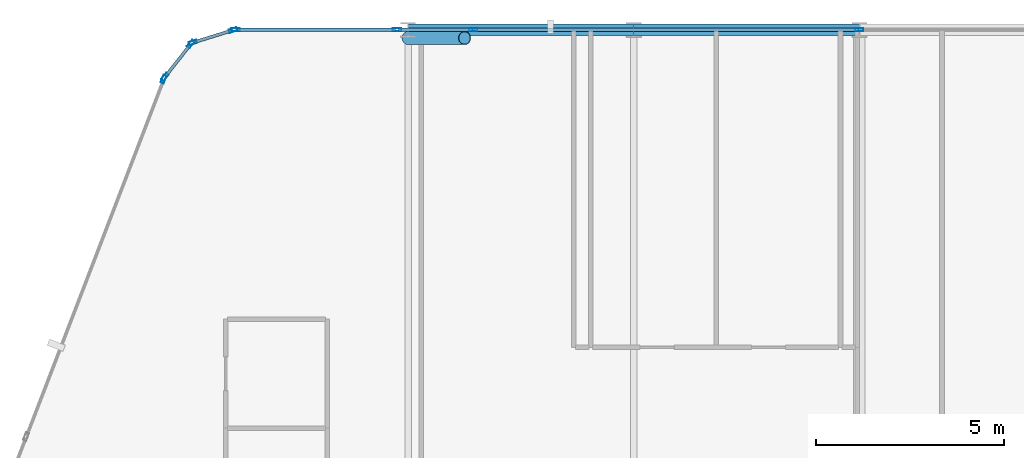
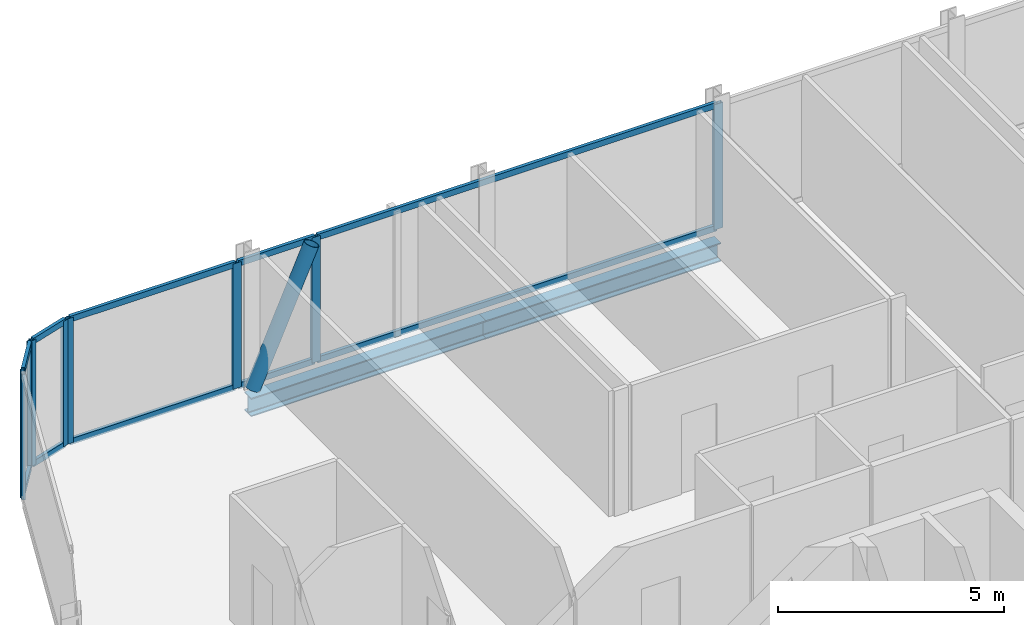
# One storey, part 14 of 34: 20 members, 2 beams, 6 elements without a shape of their own.
"""IFC4 building model written with IfcOpenShell, lengths in metres."""

import ifcopenshell
import ifcopenshell.guid

model = None  # the IFC model being written
_history = None  # IfcOwnerHistory: only IFC2X3 demands one
_inside = {}  # id of a spatial element -> (the spatial element, [elements in it])
_under = {}  # id of a project, library or spatial element -> (it, [spatial elements below it])
_declared = {}  # id of a project -> (the project, [libraries it declares])
_typed = {}  # id of a type object -> (the type object, [elements of that type])
_made_of = {}  # id of a material, layer set ... -> (it, [elements and type objects made of it])


def new_model(schema):
    """Start an empty IFC model of exactly this schema.

    Asked for "IFC4X3", IfcOpenShell would pick the latest addendum, in which some entities
    have other attributes; the version numbers below select the first issue.
    IFC2X3 requires an IfcOwnerHistory on every rooted entity: one is made here for all.
    """
    global model, _history
    if schema == "IFC4X3":
        model = ifcopenshell.file(schema_version=(4, 3, 0, 0))
    else:
        model = ifcopenshell.file(schema=schema)
    _inside.clear()
    _under.clear()
    _declared.clear()
    _typed.clear()
    _made_of.clear()
    _history = None
    if model.schema == "IFC2X3":
        org = make("IfcOrganization", Name="unknown")
        user = make(
            "IfcPersonAndOrganization",
            ThePerson=make("IfcPerson", FamilyName="unknown"),
            TheOrganization=org,
        )
        app = make(
            "IfcApplication",
            ApplicationDeveloper=org,
            Version="unknown",
            ApplicationFullName="unknown",
            ApplicationIdentifier="unknown",
        )
        _history = make(
            "IfcOwnerHistory",
            OwningUser=user,
            OwningApplication=app,
            ChangeAction="ADDED",
            CreationDate=0,
        )
    return model


def make(cls, **values):
    """One entity of the class cls with the attributes given. An attribute that is None is left unset."""
    return model.create_entity(
        cls, **{name: value for name, value in values.items() if value is not None}
    )


def rooted(cls, **values):
    """An entity with a GlobalId (a new one), such as an element, a storey or a relation."""
    return make(cls, GlobalId=ifcopenshell.guid.new(), OwnerHistory=_history, **values)


def si_unit(unit_type, name, prefix=None):
    """IfcSIUnit, for example si_unit("LENGTHUNIT", "METRE", prefix="MILLI")."""
    return make("IfcSIUnit", UnitType=unit_type, Prefix=prefix, Name=name)


def assignment(units):
    """IfcUnitAssignment: the units of a project."""
    return None if units is None else make("IfcUnitAssignment", Units=units)


def point(xyz):
    """IfcCartesianPoint."""
    return None if xyz is None else make("IfcCartesianPoint", Coordinates=xyz)


def direction(xyz):
    """IfcDirection."""
    return None if xyz is None else make("IfcDirection", DirectionRatios=xyz)


def frame(location, z_axis=None, x_axis=None):
    """IfcAxis2Placement3D, a coordinate frame: its origin and axes. An axis left out is left unset."""
    return make(
        "IfcAxis2Placement3D",
        Location=point(location),
        Axis=direction(z_axis),
        RefDirection=direction(x_axis),
    )


def frame_2d(location, x_axis=None):
    """IfcAxis2Placement2D, a coordinate frame in the plane: its origin and x axis."""
    return make(
        "IfcAxis2Placement2D", Location=point(location), RefDirection=direction(x_axis)
    )


def origin():
    """The frame at (0, 0, 0) with its axes left unset."""
    return frame((0.0, 0.0, 0.0))


def origin_2d():
    """The frame at (0, 0) in the plane with its x axis left unset."""
    return frame_2d((0.0, 0.0))


def place(relative_to, where):
    """IfcLocalPlacement: puts the frame where relative to a parent placement (None: the world)."""
    return make(
        "IfcLocalPlacement", PlacementRelTo=relative_to, RelativePlacement=where
    )


def context(
    kind, dimensions, precision=None, world=None, true_north=None, identifier=None
):
    """IfcGeometricRepresentationContext, for example the 3D "Model" context."""
    return make(
        "IfcGeometricRepresentationContext",
        ContextIdentifier=identifier,
        ContextType=kind,
        CoordinateSpaceDimension=dimensions,
        Precision=precision,
        WorldCoordinateSystem=world,
        TrueNorth=true_north,
    )


def subcontext(parent, identifier, kind, view, scale=None):
    """IfcGeometricRepresentationSubContext, for example "Body" below "Model"."""
    return make(
        "IfcGeometricRepresentationSubContext",
        ContextIdentifier=identifier,
        ContextType=kind,
        ParentContext=parent,
        TargetScale=scale,
        TargetView=view,
    )


def project(units=None, contexts=None):
    """IfcProject with its units and contexts."""
    return rooted(
        "IfcProject",
        Name="project",
        RepresentationContexts=contexts,
        UnitsInContext=assignment(units),
    )


def spatial(cls, under=None, at=None, **own):
    """A site, building, storey or space (cls), placed at a placement, below another one or the project."""
    s = rooted(cls, ObjectPlacement=at, **own)
    if under is not None:
        _under.setdefault(under.id(), (under, []))[1].append(s)
    return s


def profile(cls, at=None, kind="AREA", **sizes):
    """A parametric profile (cls). Its sizes go by their IFC names, for example OverallWidth=200.0."""
    return make(cls, ProfileType=kind, Position=at, **sizes)


def hollow_rectangle(**sizes):
    """IfcRectangleHollowProfileDef."""
    return profile("IfcRectangleHollowProfileDef", **sizes)


def hollow_circle(**sizes):
    """IfcCircleHollowProfileDef."""
    return profile("IfcCircleHollowProfileDef", **sizes)


def i_section(**sizes):
    """IfcIShapeProfileDef."""
    return profile("IfcIShapeProfileDef", **sizes)


def extrude(swept, where, along, depth):
    """IfcExtrudedAreaSolid: the profile swept, set in the frame where, extruded along a direction by depth."""
    return make(
        "IfcExtrudedAreaSolid",
        SweptArea=swept,
        Position=where,
        ExtrudedDirection=direction(along),
        Depth=depth,
    )


def shape(context_of_items, identifier, shape_type, items):
    """IfcShapeRepresentation: the items that make up one representation, for example the "Body"."""
    return make(
        "IfcShapeRepresentation",
        ContextOfItems=context_of_items,
        RepresentationIdentifier=identifier,
        RepresentationType=shape_type,
        Items=items,
    )


def material(Name=None, Category=None):
    """IfcMaterial."""
    return make("IfcMaterial", Name=Name, Category=Category)


def layer(
    of_material, thickness, ventilated=None, Name=None, Category=None, Priority=None
):
    """IfcMaterialLayer: one layer of a wall or slab, of a material (None: an air gap)."""
    return make(
        "IfcMaterialLayer",
        Material=of_material,
        LayerThickness=thickness,
        IsVentilated=ventilated,
        Name=Name,
        Category=Category,
        Priority=Priority,
    )


def layer_set(layers, Name=None):
    """IfcMaterialLayerSet."""
    return make("IfcMaterialLayerSet", MaterialLayers=layers, LayerSetName=Name)


def material_profile(
    of_material, cross_section, Name=None, Category=None, Priority=None
):
    """IfcMaterialProfile: a cross section and its material."""
    return make(
        "IfcMaterialProfile",
        Name=Name,
        Material=of_material,
        Profile=cross_section,
        Priority=Priority,
        Category=Category,
    )


def profile_set(profiles, Name=None, composite=None):
    """IfcMaterialProfileSet."""
    return make(
        "IfcMaterialProfileSet",
        Name=Name,
        MaterialProfiles=profiles,
        CompositeProfile=composite,
    )


def made_of(thing, what):
    """Note that an element or type object is made of a material, layer set ...; save() writes the relation."""
    if what is not None:
        _made_of.setdefault(what.id(), (what, []))[1].append(thing)
    return thing


def type_object(cls, material=None, **own):
    """A type object (cls), such as IfcWallType, which elements share."""
    return made_of(rooted(cls, **own), material)


def element(
    cls,
    number,
    at=None,
    inside=None,
    cuts=None,
    type_object=None,
    material=None,
    context=None,
    identifier="Body",
    shape_type=None,
    held_by="IfcProductDefinitionShape",
    body=None,
    shapes=None,
    **own,
):
    """One element of the class cls, such as IfcWall. Its Tag is "e" and its number.

    at: its placement. inside: the storey or other place that contains it. cuts: it is an
    opening in that element (IfcRelVoidsElement). A single representation is given by context,
    identifier, shape_type and body (its items); several are given by shapes. held_by: the class
    of the entity that holds the representations. save() writes the other relations.
    """
    e = rooted(cls, Tag="e%d" % number, ObjectPlacement=at, **own)
    if body is not None:
        shapes = [shape(context, identifier, shape_type, body)]
    if shapes is not None:
        e.Representation = make(held_by, Representations=shapes)
    if inside is not None:
        _inside.setdefault(inside.id(), (inside, []))[1].append(e)
    if cuts is not None:
        rooted(
            "IfcRelVoidsElement", RelatingBuildingElement=cuts, RelatedOpeningElement=e
        )
    if type_object is not None:
        _typed.setdefault(type_object.id(), (type_object, []))[1].append(e)
    return made_of(e, material)


def aggregate(whole, parts):
    """IfcRelAggregates: a whole, such as a stair, and the parts it consists of."""
    return rooted("IfcRelAggregates", RelatingObject=whole, RelatedObjects=parts)


def save(model, path):
    """Write the relations noted so far, then the file.

    IfcRelAggregates (storeys below a building ...), IfcRelContainedInSpatialStructure (elements
    in a storey), IfcRelDefinesByType, IfcRelAssociatesMaterial and IfcRelDeclares: one each for
    every whole, place, type object, material and project.
    """
    for whole, parts in _under.values():
        aggregate(whole, parts)
    for where, things in _inside.values():
        rooted(
            "IfcRelContainedInSpatialStructure",
            RelatedElements=things,
            RelatingStructure=where,
        )
    for kind, things in _typed.values():
        rooted("IfcRelDefinesByType", RelatedObjects=things, RelatingType=kind)
    for what, things in _made_of.values():
        rooted("IfcRelAssociatesMaterial", RelatedObjects=things, RelatingMaterial=what)
    for by, libraries in _declared.values():
        rooted("IfcRelDeclares", RelatingContext=by, RelatedDefinitions=libraries)
    model.write(path)


model = new_model("IFC4")

# Units and contexts
model_context = context("Model", 3, precision=1e-05, world=origin(), true_north=direction((0.0, 1.0)))
body_context = subcontext(model_context, "Body", "Model", "MODEL_VIEW")
ifc_project = project(units=[si_unit("LENGTHUNIT", "METRE"), si_unit("AREAUNIT", "SQUARE_METRE"), si_unit("VOLUMEUNIT", "CUBIC_METRE"), si_unit("PLANEANGLEUNIT", "RADIAN"), si_unit("MASSUNIT", "GRAM", prefix="KILO")], contexts=[model_context])

# Site, building, storey
site_placement = place(None, origin())
site = spatial("IfcSite", under=ifc_project, at=site_placement, CompositionType="ELEMENT")
building_placement = place(site_placement, origin())
building = spatial("IfcBuilding", under=site, at=building_placement, Name="Keshet Zoharim Tower", CompositionType="ELEMENT")
storey_placement = place(building_placement, frame((0.0, 0.0, 53.60009765625)))
storey = spatial("IfcBuildingStorey", under=building, at=storey_placement, Name="L12", CompositionType="ELEMENT", Elevation=53.60009765625)

# Beams
ifc_material_1 = material(Name="Steel S355", Category="steel")
ifc_material_profile_1 = material_profile(ifc_material_1, i_section(OverallWidth=0.300048828125, OverallDepth=0.5, WebThickness=0.014404296875, FlangeThickness=0.028076171875, FilletRadius=0.027099609375, at=origin_2d()), Name="HEB500")
ifc_profile_set_1 = profile_set([ifc_material_profile_1], Name="Steel S355")
beam_type = type_object("IfcBeamType", Name="BM-WEB-HB500", PredefinedType="BEAM", material=ifc_profile_set_1)
for number, where, z_axis, x_axis, name in (
    (1, (21.0, 53.89990234375, -0.565185546875), (1.0, 0.0, 0.0), (0.0, 1.0, 0.0), "L12 Primary Girder X-029"),
    (2, (27.0, 53.89990234375, -0.565185546875), (1.0, 0.0, 0.0), (0.0, 1.0, 0.0), "L12 Primary Girder X-030"),
):
    element("IfcBeam", number, at=place(storey_placement, frame(where, z_axis=z_axis, x_axis=x_axis)), inside=storey, type_object=beam_type, Name=name, PredefinedType="BEAM", context=body_context, shape_type="SweptSolid", body=[
        extrude(i_section(OverallWidth=0.300048828125, OverallDepth=0.5, WebThickness=0.014404296875, FlangeThickness=0.028076171875, FilletRadius=0.027099609375, at=origin_2d()), origin(), (0.0, 0.0, 1.0), 6.0),
    ])

# Curtain wall, member
ifc_material_2 = material(Name="Aluminium 6063-T6", Category="aluminium")
ifc_layer_1 = layer(ifc_material_2, 0.179931640625)
ifc_layer_set_1 = layer_set([ifc_layer_1], Name="Aluminium 6063-T6")
curtain_wall_type_1 = type_object("IfcCurtainWallType", Name="CW-SYS-01", PredefinedType="NOTDEFINED", material=ifc_layer_set_1)
curtain_wall_1_placement = place(storey_placement, origin())
curtain_wall_1 = element("IfcCurtainWall", 3, at=curtain_wall_1_placement, inside=storey, type_object=curtain_wall_type_1, Name="L12 Unitised Curtain Wall 04", PredefinedType="NOTDEFINED")
ifc_material_profile_2 = material_profile(ifc_material_2, hollow_rectangle(XDim=0.090087890625, YDim=0.219970703125, WallThickness=0.0048828125, at=origin_2d()), Name="MUL-90x220")
ifc_profile_set_2 = profile_set([ifc_material_profile_2], Name="Aluminium 6063-T6")
member_type_1 = type_object("IfcMemberType", Name="CWM-M22", PredefinedType="MULLION", material=ifc_profile_set_2)
member_1_placement = place(storey_placement, frame((14.494384765625, 52.58544921875, 0.0), z_axis=(0.0, 0.0, 1.0), x_axis=(-0.933341404361, 0.358990003907, 0.0)))
member_1 = element("IfcMember", 4, at=member_1_placement, type_object=member_type_1, Name="CW-01 mullion 4", PredefinedType="MULLION", context=body_context, shape_type="SweptSolid", body=[
    extrude(hollow_rectangle(XDim=0.090087890625, YDim=0.219970703125, WallThickness=0.0048828125, at=origin_2d()), origin(), (0.0, 0.0, 1.0), 3.385009765625),
])
aggregate(curtain_wall_1, [member_1])

# Curtain wall, members
curtain_wall_2_placement = place(storey_placement, origin())
curtain_wall_2 = element("IfcCurtainWall", 5, at=curtain_wall_2_placement, inside=storey, type_object=curtain_wall_type_1, Name="L12 Unitised Curtain Wall 05", PredefinedType="NOTDEFINED")
member_2_placement = place(storey_placement, frame((14.528564453125, 52.6455078125, 0.0), z_axis=(0.0, 0.0, 1.0), x_axis=(-0.785292825205, 0.619124525989, 0.0)))
member_2 = element("IfcMember", 6, at=member_2_placement, type_object=member_type_1, Name="CW-01 mullion 1", PredefinedType="MULLION", context=body_context, shape_type="SweptSolid", body=[
    extrude(hollow_rectangle(XDim=0.090087890625, YDim=0.219970703125, WallThickness=0.0048828125, at=origin_2d()), origin(), (0.0, 0.0, 1.0), 3.385009765625),
])
member_3_placement = place(storey_placement, frame((15.21923828125, 53.521484375, 0.0), z_axis=(0.0, 0.0, 1.0), x_axis=(-0.785292825205, 0.619124525989, 0.0)))
member_3 = element("IfcMember", 7, at=member_3_placement, type_object=member_type_1, Name="CW-01 mullion 2", PredefinedType="MULLION", context=body_context, shape_type="SweptSolid", body=[
    extrude(hollow_rectangle(XDim=0.090087890625, YDim=0.219970703125, WallThickness=0.0048828125, at=origin_2d()), origin(), (0.0, 0.0, 1.0), 3.385009765625),
])

curtain_wall_3_placement = place(storey_placement, origin())
curtain_wall_3 = element("IfcCurtainWall", 8, at=curtain_wall_3_placement, inside=storey, type_object=curtain_wall_type_1, Name="L12 Unitised Curtain Wall 06", PredefinedType="NOTDEFINED")
member_4_placement = place(storey_placement, frame((15.2744140625, 53.559326171875, 0.0), z_axis=(0.0, 0.0, 1.0), x_axis=(-0.295921857984, 0.955212151288, 0.0)))
member_4 = element("IfcMember", 9, at=member_4_placement, type_object=member_type_1, Name="CW-01 mullion 1", PredefinedType="MULLION", context=body_context, shape_type="SweptSolid", body=[
    extrude(hollow_rectangle(XDim=0.090087890625, YDim=0.219970703125, WallThickness=0.0048828125, at=origin_2d()), origin(), (0.0, 0.0, 1.0), 3.385009765625),
])
member_5_placement = place(storey_placement, frame((16.340576171875, 53.8896484375, 0.0), z_axis=(0.0, 0.0, 1.0), x_axis=(-0.295921857984, 0.955212151288, 0.0)))
member_5 = element("IfcMember", 10, at=member_5_placement, type_object=member_type_1, Name="CW-01 mullion 2", PredefinedType="MULLION", context=body_context, shape_type="SweptSolid", body=[
    extrude(hollow_rectangle(XDim=0.090087890625, YDim=0.219970703125, WallThickness=0.0048828125, at=origin_2d()), origin(), (0.0, 0.0, 1.0), 3.385009765625),
])

ifc_layer_2 = layer(ifc_material_2, 0.169921875)
ifc_layer_set_2 = layer_set([ifc_layer_2], Name="Aluminium 6063-T6")
curtain_wall_type_2 = type_object("IfcCurtainWallType", Name="CW-SYS-02", PredefinedType="NOTDEFINED", material=ifc_layer_set_2)
curtain_wall_4_placement = place(storey_placement, origin())
curtain_wall_4 = element("IfcCurtainWall", 11, at=curtain_wall_4_placement, inside=storey, type_object=curtain_wall_type_2, Name="L12 Unitised Curtain Wall 07", PredefinedType="NOTDEFINED")
member_6_placement = place(storey_placement, frame((16.408935546875, 53.89990234375, 0.0), z_axis=(0.0, 0.0, 1.0), x_axis=(0.0, 1.0, 0.0)))
member_6 = element("IfcMember", 12, at=member_6_placement, type_object=member_type_1, Name="CW-02 mullion 1", PredefinedType="MULLION", context=body_context, shape_type="SweptSolid", body=[
    extrude(hollow_rectangle(XDim=0.090087890625, YDim=0.219970703125, WallThickness=0.0048828125, at=origin_2d()), origin(), (0.0, 0.0, 1.0), 3.385009765625),
])
member_7_placement = place(storey_placement, frame((20.702392578125, 53.89990234375, 0.0), z_axis=(0.0, 0.0, 1.0), x_axis=(0.0, 1.0, 0.0)))
member_7 = element("IfcMember", 13, at=member_7_placement, type_object=member_type_1, Name="CW-02 mullion 2", PredefinedType="MULLION", context=body_context, shape_type="SweptSolid", body=[
    extrude(hollow_rectangle(XDim=0.090087890625, YDim=0.219970703125, WallThickness=0.0048828125, at=origin_2d()), origin(), (0.0, 0.0, 1.0), 3.385009765625),
])

# Curtain wall, member
curtain_wall_5_placement = place(storey_placement, origin())
curtain_wall_5 = element("IfcCurtainWall", 14, at=curtain_wall_5_placement, inside=storey, type_object=curtain_wall_type_2, Name="L12 Unitised Curtain Wall 07 Part 2", PredefinedType="NOTDEFINED")
member_8_placement = place(storey_placement, frame((22.7275390625, 53.89990234375, 0.0), z_axis=(0.0, 0.0, 1.0), x_axis=(0.0, 1.0, 0.0)))
member_8 = element("IfcMember", 15, at=member_8_placement, type_object=member_type_1, Name="CW-02 mullion 2", PredefinedType="MULLION", context=body_context, shape_type="SweptSolid", body=[
    extrude(hollow_rectangle(XDim=0.090087890625, YDim=0.219970703125, WallThickness=0.0048828125, at=origin_2d()), origin(), (0.0, 0.0, 1.0), 3.385009765625),
])

curtain_wall_6_placement = place(storey_placement, origin())
curtain_wall_6 = element("IfcCurtainWall", 16, at=curtain_wall_6_placement, inside=storey, type_object=curtain_wall_type_2, Name="L12 Unitised Curtain Wall 07 Part 3", PredefinedType="NOTDEFINED")
member_9_placement = place(storey_placement, frame((33.0, 53.89990234375, 0.0), z_axis=(0.0, 0.0, 1.0), x_axis=(0.0, 1.0, 0.0)))
member_9 = element("IfcMember", 17, at=member_9_placement, type_object=member_type_1, Name="CW-02 mullion 2", PredefinedType="MULLION", context=body_context, shape_type="SweptSolid", body=[
    extrude(hollow_rectangle(XDim=0.090087890625, YDim=0.219970703125, WallThickness=0.0048828125, at=origin_2d()), origin(), (0.0, 0.0, 1.0), 3.385009765625),
])

# Member
ifc_material_profile_3 = material_profile(ifc_material_2, hollow_rectangle(XDim=0.0849609375, YDim=0.159912109375, WallThickness=0.00439453125, at=origin_2d()), Name="TRN-85x160")
ifc_profile_set_3 = profile_set([ifc_material_profile_3], Name="Aluminium 6063-T6")
member_type_2 = type_object("IfcMemberType", Name="CWT-T16", PredefinedType="USERDEFINED", material=ifc_profile_set_3)
member_10_placement = place(storey_placement, frame((14.55029296875, 52.6728515625, 0.034912109375), z_axis=(0.619099165969, 0.78531281837, 0.0), x_axis=(-0.78531281837, 0.619099165969, 0.0)))
member_10 = element("IfcMember", 18, at=member_10_placement, type_object=member_type_2, Name="CW-01 transom 1.1", ObjectType="TRANSOM", PredefinedType="USERDEFINED", context=body_context, shape_type="SweptSolid", body=[
    extrude(hollow_rectangle(XDim=0.0849609375, YDim=0.159912109375, WallThickness=0.00439453125, at=origin_2d()), origin(), (0.0, 0.0, 1.0), 1.0458984375),
])

member_11_placement = place(storey_placement, frame((14.55029296875, 52.6728515625, 3.349853515625), z_axis=(0.619099165969, 0.78531281837, 0.0), x_axis=(-0.78531281837, 0.619099165969, 0.0)))
member_11 = element("IfcMember", 19, at=member_11_placement, type_object=member_type_2, Name="CW-01 transom 1.2", ObjectType="TRANSOM", PredefinedType="USERDEFINED", context=body_context, shape_type="SweptSolid", body=[
    extrude(hollow_rectangle(XDim=0.0849609375, YDim=0.159912109375, WallThickness=0.00439453125, at=origin_2d()), origin(), (0.0, 0.0, 1.0), 1.0458984375),
])

aggregate(curtain_wall_2, [member_2, member_3, member_10, member_11])

member_12_placement = place(storey_placement, frame((15.307861328125, 53.56982421875, 0.034912109375), z_axis=(0.955212093062, 0.295922045933, 0.0), x_axis=(-0.295922045933, 0.955212093062, 0.0)))
member_12 = element("IfcMember", 20, at=member_12_placement, type_object=member_type_2, Name="CW-01 transom 1.1", ObjectType="TRANSOM", PredefinedType="USERDEFINED", context=body_context, shape_type="SweptSolid", body=[
    extrude(hollow_rectangle(XDim=0.0849609375, YDim=0.159912109375, WallThickness=0.00439453125, at=origin_2d()), origin(), (0.0, 0.0, 1.0), 1.046142578125),
])

member_13_placement = place(storey_placement, frame((15.307861328125, 53.56982421875, 3.349853515625), z_axis=(0.955212093062, 0.295922045933, 0.0), x_axis=(-0.295922045933, 0.955212093062, 0.0)))
member_13 = element("IfcMember", 21, at=member_13_placement, type_object=member_type_2, Name="CW-01 transom 1.2", ObjectType="TRANSOM", PredefinedType="USERDEFINED", context=body_context, shape_type="SweptSolid", body=[
    extrude(hollow_rectangle(XDim=0.0849609375, YDim=0.159912109375, WallThickness=0.00439453125, at=origin_2d()), origin(), (0.0, 0.0, 1.0), 1.046142578125),
])

aggregate(curtain_wall_3, [member_4, member_5, member_12, member_13])

member_14_placement = place(storey_placement, frame((16.444091796875, 53.89990234375, 0.034912109375), z_axis=(1.0, 0.0, 0.0), x_axis=(0.0, 1.0, 0.0)))
member_14 = element("IfcMember", 22, at=member_14_placement, type_object=member_type_2, Name="CW-02 transom 1.1", ObjectType="TRANSOM", PredefinedType="USERDEFINED", context=body_context, shape_type="SweptSolid", body=[
    extrude(hollow_rectangle(XDim=0.0849609375, YDim=0.159912109375, WallThickness=0.00439453125, at=origin_2d()), origin(), (0.0, 0.0, 1.0), 4.223388671875),
])

member_15_placement = place(storey_placement, frame((16.444091796875, 53.89990234375, 3.349853515625), z_axis=(1.0, 0.0, 0.0), x_axis=(0.0, 1.0, 0.0)))
member_15 = element("IfcMember", 23, at=member_15_placement, type_object=member_type_2, Name="CW-02 transom 1.2", ObjectType="TRANSOM", PredefinedType="USERDEFINED", context=body_context, shape_type="SweptSolid", body=[
    extrude(hollow_rectangle(XDim=0.0849609375, YDim=0.159912109375, WallThickness=0.00439453125, at=origin_2d()), origin(), (0.0, 0.0, 1.0), 4.223388671875),
])

aggregate(curtain_wall_4, [member_6, member_7, member_14, member_15])

member_16_placement = place(storey_placement, frame((20.7373046875, 53.89990234375, 0.034912109375), z_axis=(1.0, 0.0, 0.0), x_axis=(0.0, 1.0, 0.0)))
member_16 = element("IfcMember", 24, at=member_16_placement, type_object=member_type_2, Name="CW-02 transom 1.1", ObjectType="TRANSOM", PredefinedType="USERDEFINED", context=body_context, shape_type="SweptSolid", body=[
    extrude(hollow_rectangle(XDim=0.0849609375, YDim=0.159912109375, WallThickness=0.00439453125, at=origin_2d()), origin(), (0.0, 0.0, 1.0), 1.955322265625),
])

member_17_placement = place(storey_placement, frame((20.7373046875, 53.89990234375, 3.349853515625), z_axis=(1.0, 0.0, 0.0), x_axis=(0.0, 1.0, 0.0)))
member_17 = element("IfcMember", 25, at=member_17_placement, type_object=member_type_2, Name="CW-02 transom 1.2", ObjectType="TRANSOM", PredefinedType="USERDEFINED", context=body_context, shape_type="SweptSolid", body=[
    extrude(hollow_rectangle(XDim=0.0849609375, YDim=0.159912109375, WallThickness=0.00439453125, at=origin_2d()), origin(), (0.0, 0.0, 1.0), 1.955322265625),
])

aggregate(curtain_wall_5, [member_8, member_16, member_17])

member_18_placement = place(storey_placement, frame((22.7626953125, 53.89990234375, 0.034912109375), z_axis=(1.0, 0.0, 0.0), x_axis=(0.0, 1.0, 0.0)))
member_18 = element("IfcMember", 26, at=member_18_placement, type_object=member_type_2, Name="CW-02 transom 1.1", ObjectType="TRANSOM", PredefinedType="USERDEFINED", context=body_context, shape_type="SweptSolid", body=[
    extrude(hollow_rectangle(XDim=0.0849609375, YDim=0.159912109375, WallThickness=0.00439453125, at=origin_2d()), origin(), (0.0, 0.0, 1.0), 10.202392578125),
])

member_19_placement = place(storey_placement, frame((22.7626953125, 53.89990234375, 3.349853515625), z_axis=(1.0, 0.0, 0.0), x_axis=(0.0, 1.0, 0.0)))
member_19 = element("IfcMember", 27, at=member_19_placement, type_object=member_type_2, Name="CW-02 transom 1.2", ObjectType="TRANSOM", PredefinedType="USERDEFINED", context=body_context, shape_type="SweptSolid", body=[
    extrude(hollow_rectangle(XDim=0.0849609375, YDim=0.159912109375, WallThickness=0.00439453125, at=origin_2d()), origin(), (0.0, 0.0, 1.0), 10.202392578125),
])

aggregate(curtain_wall_6, [member_9, member_18, member_19])

ifc_material_profile_4 = material_profile(ifc_material_1, hollow_circle(Radius=0.177734375, WallThickness=0.012451171875, at=origin_2d()), Name="CHS355x12.5")
ifc_profile_set_4 = profile_set([ifc_material_profile_4], Name="Steel S355")
member_type_3 = type_object("IfcMemberType", Name="MB-BR-C355", PredefinedType="BRACE", material=ifc_profile_set_4)
member_20_placement = place(storey_placement, frame((21.0, 53.679931640625, 0.0), z_axis=(0.405134846829, 0.0, 0.91425694194), x_axis=(0.0, 1.0, 0.0)))
element("IfcMember", 28, at=member_20_placement, inside=storey, type_object=member_type_3, Name="L12 Perimeter Tube Brace 01", PredefinedType="BRACE", context=body_context, shape_type="SweptSolid", body=[
    extrude(hollow_circle(Radius=0.177734375, WallThickness=0.012451171875, at=origin_2d()), origin(), (0.0, 0.0, 1.0), 3.702392578125),
])

save(model, "model.ifc")
